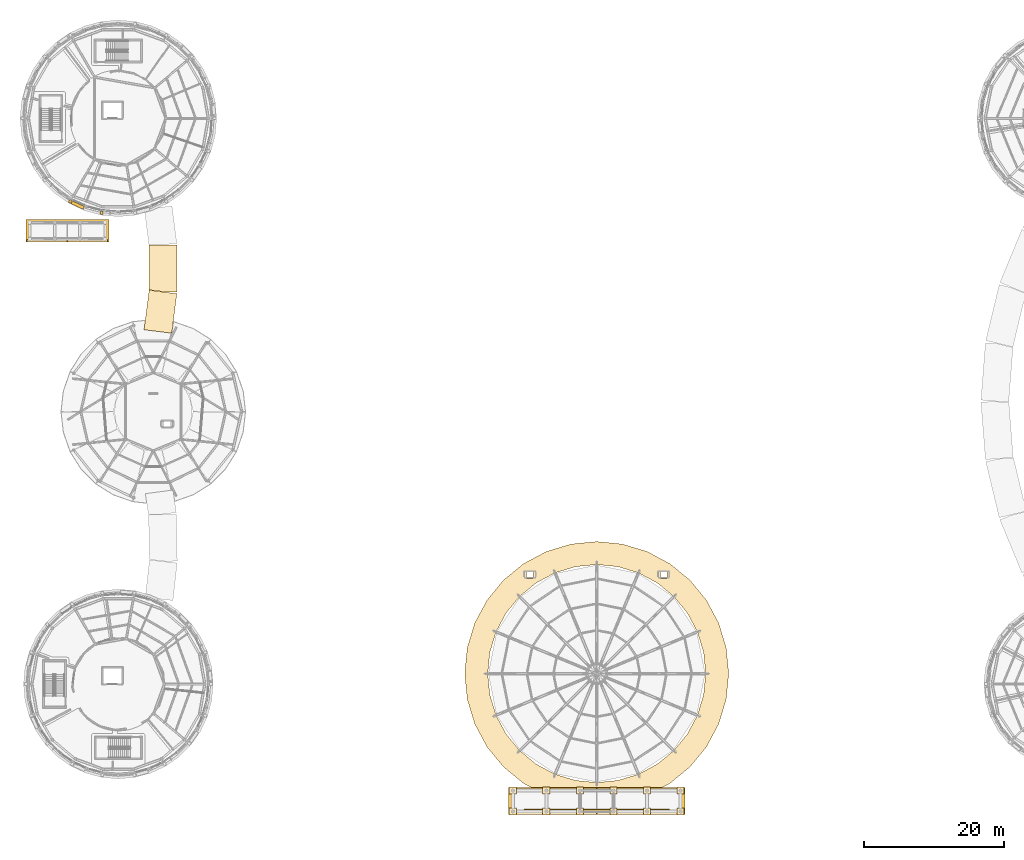
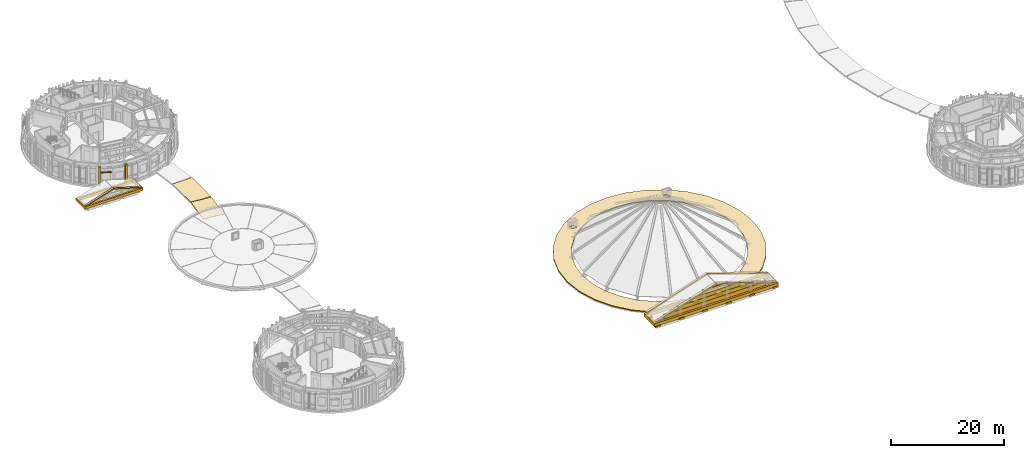
# One storey, part 52 of 58: 29 coverings, 1 shading device.
"""IFC4 building model written with IfcOpenShell, lengths in metres."""

from ifc_helpers import new_model, si_unit, direction, frame, origin, origin_2d, place, context, subcontext, project, spatial, polyline, rectangle, outline, extrude, material, layer, layer_set, type_object, element, save


model = new_model("IFC4")

# Units and contexts
model_context = context("Model", 3, precision=1e-05, world=origin(), true_north=direction((0.0, 1.0)))
body_context = subcontext(model_context, "Body", "Model", "MODEL_VIEW")
ifc_project = project(units=[si_unit("LENGTHUNIT", "METRE"), si_unit("AREAUNIT", "SQUARE_METRE"), si_unit("VOLUMEUNIT", "CUBIC_METRE"), si_unit("PLANEANGLEUNIT", "RADIAN"), si_unit("MASSUNIT", "GRAM", prefix="KILO")], contexts=[model_context])

# Site, building, storey
site_placement = place(None, origin())
site = spatial("IfcSite", under=ifc_project, at=site_placement, CompositionType="ELEMENT")
building_placement = place(site_placement, origin())
building = spatial("IfcBuilding", under=site, at=building_placement, Name="Aldenvaro Health Centre", CompositionType="ELEMENT")
storey_placement = place(building_placement, frame((0.0, 0.0, 8.75)))
storey = spatial("IfcBuildingStorey", under=building, at=storey_placement, Name="L02", CompositionType="ELEMENT", Elevation=8.75)

# Coverings
ifc_material_1 = material(Name="Honed Sonoran Buff Limestone", Category="masonry")
ifc_layer_1 = layer(ifc_material_1, 0.280029296875, Name="Honed Sonoran Buff Limestone", Category="masonry")
ifc_layer_set_1 = layer_set([ifc_layer_1], Name="Honed Sonoran Buff Limestone")
covering_type_1 = type_object("IfcCoveringType", Name="COV-CRN-STN", PredefinedType="CLADDING", material=ifc_layer_set_1)
for number, where, z_axis, x_axis, name in (
    (1, (16.114013671875, 85.968994140625, 0.00048828125), (0.0, 0.0, 1.0), (-0.173661868999, -0.984805338763, 0.0), "D4 L02 Engaged Classical Limestone Pilaster 06"),
    (2, (11.6298828125, 87.60107421875, 0.00048828125), (0.0, 0.0, 1.0), (-0.499991611653, -0.866030246745, 0.0), "D4 L02 Engaged Classical Limestone Pilaster 07"),
):
    element("IfcCovering", number, at=place(storey_placement, frame(where, z_axis=z_axis, x_axis=x_axis)), inside=storey, type_object=covering_type_1, Name=name, PredefinedType="CLADDING", context=body_context, shape_type="SweptSolid", body=[
        extrude(rectangle(XDim=0.43994140625, YDim=0.3798828125, at=origin_2d()), origin(), (0.0, 0.0, 1.0), 3.97509765625),
    ])
covering_1_placement = place(storey_placement, frame((0.0, 0.0, 0.195068359375)))
element("IfcCovering", 3, at=covering_1_placement, inside=storey, type_object=covering_type_1, Name="Waiting Rotunda Lower Cornice Classical Coping", PredefinedType="CLADDING", context=body_context, shape_type="SweptSolid", body=[
    extrude(outline(polyline([(76.5, 4.284912109375), (73.635986328125, 6.635986328125), (71.284912109375, 9.5), (69.5390625, 12.76708984375), (68.462890625, 16.31298828125), (68.10009765625, 20.0), (68.462890625, 23.68701171875), (69.5390625, 27.23291015625), (71.284912109375, 30.5), (73.635986328125, 33.364013671875), (76.5, 35.715087890625), (79.76708984375, 37.4609375), (83.31298828125, 38.537109375), (87.0, 38.89990234375), (90.68701171875, 38.537109375), (94.23291015625, 37.4609375), (97.5, 35.715087890625), (100.364013671875, 33.364013671875), (102.715087890625, 30.5), (104.4609375, 27.23291015625), (105.537109375, 23.68701171875), (105.89990234375, 20.0), (105.537109375, 16.31298828125), (104.4609375, 12.76708984375), (102.715087890625, 9.5), (100.364013671875, 6.635986328125), (97.5, 4.284912109375), (96.31201171875, 3.64990234375), (77.68798828125, 3.64990234375), (76.5, 4.284912109375)]), holes=[polyline([(102.300048828125, 23.04296875), (101.4130859375, 25.969970703125), (99.970947265625, 28.6669921875), (98.031005859375, 31.031005859375), (95.6669921875, 32.970947265625), (92.969970703125, 34.4130859375), (90.04296875, 35.300048828125), (87.0, 35.60009765625), (83.95703125, 35.300048828125), (81.030029296875, 34.4130859375), (78.3330078125, 32.970947265625), (75.968994140625, 31.031005859375), (74.029052734375, 28.6669921875), (72.5869140625, 25.969970703125), (71.699951171875, 23.04296875), (71.39990234375, 20.0), (71.699951171875, 16.95703125), (72.5869140625, 14.030029296875), (74.029052734375, 11.3330078125), (75.968994140625, 8.968994140625), (78.3330078125, 7.029052734375), (81.030029296875, 5.5869140625), (83.95703125, 4.699951171875), (87.0, 4.39990234375), (90.04296875, 4.699951171875), (92.969970703125, 5.5869140625), (95.6669921875, 7.029052734375), (98.031005859375, 8.968994140625), (99.970947265625, 11.3330078125), (101.4130859375, 14.030029296875), (102.300048828125, 16.95703125), (102.60009765625, 20.0), (102.300048828125, 23.04296875)]), polyline([(77.8701171875, 33.6298828125), (77.8701171875, 34.530029296875), (76.969970703125, 34.530029296875), (76.969970703125, 33.6298828125), (77.8701171875, 33.6298828125)]), polyline([(97.030029296875, 33.6298828125), (97.030029296875, 34.530029296875), (96.1298828125, 34.530029296875), (96.1298828125, 33.6298828125), (97.030029296875, 33.6298828125)])]), origin(), (0.0, 0.0, 1.0), 0.219970703125),
])
covering_2_placement = place(storey_placement, frame((74.550048828125, -0.179931640625, 1.610107421875), z_axis=(-0.312539096871, 0.0, 0.94990489678), x_axis=(0.94990489678, 0.0, 0.312539096871)))
element("IfcCovering", 4, at=covering_2_placement, inside=storey, type_object=covering_type_1, Name="Neoclassical Portico West Pediment Slope Classical Raking Cornice S", PredefinedType="CLADDING", context=body_context, shape_type="SweptSolid", body=[
    extrude(outline(polyline([(0.0, 0.0), (13.053835584784954, 0.0), (13.053835584784954, 0.52001953125), (0.0, 0.52001953125), (0.0, 0.0)])), origin(), (0.0, 0.0, -1.0), 0.280029296875),
])
covering_3_placement = place(storey_placement, frame((74.550048828125, 3.1201171875, 1.610107421875), z_axis=(-0.312539096871, 0.0, 0.94990489678), x_axis=(0.94990489678, 0.0, 0.312539096871)))
element("IfcCovering", 5, at=covering_3_placement, inside=storey, type_object=covering_type_1, Name="Neoclassical Portico West Pediment Slope Classical Raking Cornice N", PredefinedType="CLADDING", context=body_context, shape_type="SweptSolid", body=[
    extrude(outline(polyline([(0.0, 0.0), (13.053835584784954, 0.0), (13.053835584784954, 0.49999999999999994), (0.0, 0.49999999999999994), (0.0, 0.0)])), origin(), (0.0, 0.0, -1.0), 0.280029296875),
])
covering_4_placement = place(storey_placement, frame((87.050048828125, -0.179931640625, 5.68994140625), z_axis=(0.312539096871, 0.0, 0.94990489678), x_axis=(0.94990489678, 0.0, -0.312539096871)))
element("IfcCovering", 6, at=covering_4_placement, inside=storey, type_object=covering_type_1, Name="Neoclassical Portico East Pediment Slope Classical Raking Cornice S", PredefinedType="CLADDING", context=body_context, shape_type="SweptSolid", body=[
    extrude(outline(polyline([(0.0, 0.0), (13.053835584784954, 0.0), (13.053835584784954, 0.52001953125), (0.0, 0.52001953125), (0.0, 0.0)])), origin(), (0.0, 0.0, -1.0), 0.280029296875),
])
covering_5_placement = place(storey_placement, frame((87.050048828125, 3.1201171875, 5.68994140625), z_axis=(0.312539096871, 0.0, 0.94990489678), x_axis=(0.94990489678, 0.0, -0.312539096871)))
element("IfcCovering", 7, at=covering_5_placement, inside=storey, type_object=covering_type_1, Name="Neoclassical Portico East Pediment Slope Classical Raking Cornice N", PredefinedType="CLADDING", context=body_context, shape_type="SweptSolid", body=[
    extrude(outline(polyline([(0.0, 0.0), (13.053835584784954, 0.0), (13.053835584784954, 0.49999999999999994), (0.0, 0.49999999999999994), (0.0, 0.0)])), origin(), (0.0, 0.0, -1.0), 0.280029296875),
])
for number, where, z_axis, x_axis, name in (
    (8, (75.0, 0.25, 0.4501953125), (0.0, 0.0, 1.0), (1.0, 0.0, 0.0), "Hexastyle Portico Classical Column Capital 1"),
    (9, (75.0, 3.25, 0.4501953125), (0.0, 0.0, 1.0), (1.0, 0.0, 0.0), "Hexastyle Portico Classical Column Capital 2"),
    (10, (79.800048828125, 0.25, 0.4501953125), (0.0, 0.0, 1.0), (1.0, 0.0, 0.0), "Hexastyle Portico Classical Column Capital 3"),
    (11, (79.800048828125, 3.25, 0.4501953125), (0.0, 0.0, 1.0), (1.0, 0.0, 0.0), "Hexastyle Portico Classical Column Capital 4"),
    (12, (84.60009765625, 0.25, 0.4501953125), (0.0, 0.0, 1.0), (1.0, 0.0, 0.0), "Hexastyle Portico Classical Column Capital 5"),
    (13, (84.60009765625, 3.25, 0.4501953125), (0.0, 0.0, 1.0), (1.0, 0.0, 0.0), "Hexastyle Portico Classical Column Capital 6"),
    (14, (89.39990234375, 0.25, 0.4501953125), (0.0, 0.0, 1.0), (1.0, 0.0, 0.0), "Hexastyle Portico Classical Column Capital 7"),
    (15, (89.39990234375, 3.25, 0.4501953125), (0.0, 0.0, 1.0), (1.0, 0.0, 0.0), "Hexastyle Portico Classical Column Capital 8"),
    (16, (94.199951171875, 0.25, 0.4501953125), (0.0, 0.0, 1.0), (1.0, 0.0, 0.0), "Hexastyle Portico Classical Column Capital 9"),
    (17, (94.199951171875, 3.25, 0.4501953125), (0.0, 0.0, 1.0), (1.0, 0.0, 0.0), "Hexastyle Portico Classical Column Capital 10"),
    (18, (99.0, 0.25, 0.4501953125), (0.0, 0.0, 1.0), (1.0, 0.0, 0.0), "Hexastyle Portico Classical Column Capital 11"),
    (19, (99.0, 3.25, 0.4501953125), (0.0, 0.0, 1.0), (1.0, 0.0, 0.0), "Hexastyle Portico Classical Column Capital 12"),
):
    element("IfcCovering", number, at=place(storey_placement, frame(where, z_axis=z_axis, x_axis=x_axis)), inside=storey, type_object=covering_type_1, Name=name, PredefinedType="CLADDING", context=body_context, shape_type="SweptSolid", body=[
        extrude(rectangle(XDim=1.06005859375, YDim=1.06005859375, at=origin_2d()), origin(), (0.0, 0.0, 1.0), 0.300048828125),
    ])
covering_6_placement = place(storey_placement, frame((0.0, 0.0, 0.60009765625)))
element("IfcCovering", 20, at=covering_6_placement, inside=storey, type_object=covering_type_1, Name="Hexastyle Portico Classical Entablature Frieze and Dentil Cornice", PredefinedType="CLADDING", context=body_context, shape_type="SweptSolid", body=[
    extrude(outline(polyline([(74.35009765625, -0.159912109375), (74.35009765625, 3.64990234375), (99.64990234375, 3.64990234375), (99.64990234375, -0.159912109375), (74.35009765625, -0.159912109375)]), holes=[polyline([(99.10009765625, 3.199951171875), (74.89990234375, 3.199951171875), (74.89990234375, 0.25), (99.10009765625, 0.25), (99.10009765625, 3.199951171875)])]), origin(), (0.0, 0.0, 1.0), 0.699951171875),
])
covering_7_placement = place(storey_placement, frame((87.0, 0.419921875, 1.300048828125), z_axis=(0.0, 0.0, 1.0), x_axis=(1.0, 0.0, 0.0)))
element("IfcCovering", 21, at=covering_7_placement, inside=storey, type_object=covering_type_1, Name="Hexastyle Portico Recessed Limestone Tympanum Course 1", PredefinedType="CLADDING", context=body_context, shape_type="SweptSolid", body=[
    extrude(rectangle(XDim=20.800048828125, YDim=0.260009765625, at=origin_2d()), origin(), (0.0, 0.0, 1.0), 0.85009765625),
])
covering_8_placement = place(storey_placement, frame((87.0, 0.419921875, 2.14990234375), z_axis=(0.0, 0.0, 1.0), x_axis=(1.0, 0.0, 0.0)))
element("IfcCovering", 22, at=covering_8_placement, inside=storey, type_object=covering_type_1, Name="Hexastyle Portico Recessed Limestone Tympanum Course 2", PredefinedType="CLADDING", context=body_context, shape_type="SweptSolid", body=[
    extrude(rectangle(XDim=15.60009765625, YDim=0.260009765625, at=origin_2d()), origin(), (0.0, 0.0, 1.0), 0.85009765625),
])
covering_9_placement = place(storey_placement, frame((87.0, 0.419921875, 3.0), z_axis=(0.0, 0.0, 1.0), x_axis=(1.0, 0.0, 0.0)))
element("IfcCovering", 23, at=covering_9_placement, inside=storey, type_object=covering_type_1, Name="Hexastyle Portico Recessed Limestone Tympanum Course 3", PredefinedType="CLADDING", context=body_context, shape_type="SweptSolid", body=[
    extrude(rectangle(XDim=10.39990234375, YDim=0.260009765625, at=origin_2d()), origin(), (0.0, 0.0, 1.0), 0.85009765625),
])
covering_10_placement = place(storey_placement, frame((87.0, 0.419921875, 3.849853515625), z_axis=(0.0, 0.0, 1.0), x_axis=(1.0, 0.0, 0.0)))
element("IfcCovering", 24, at=covering_10_placement, inside=storey, type_object=covering_type_1, Name="Hexastyle Portico Recessed Limestone Tympanum Course 4", PredefinedType="CLADDING", context=body_context, shape_type="SweptSolid", body=[
    extrude(rectangle(XDim=5.199951171875, YDim=0.260009765625, at=origin_2d()), origin(), (0.0, 0.0, 1.0), 0.85009765625),
])
covering_11_placement = place(storey_placement, frame((0.0, 0.0, 0.449951171875)))
element("IfcCovering", 25, at=covering_11_placement, inside=storey, type_object=covering_type_1, Name="Bastion Portico N4 Classical Entablature Cornice", PredefinedType="CLADDING", context=body_context, shape_type="SweptSolid", body=[
    extrude(outline(polyline([(5.260009765625, 81.7900390625), (5.260009765625, 85.030029296875), (17.139892578125, 85.030029296875), (17.139892578125, 81.7900390625), (5.260009765625, 81.7900390625)]), holes=[polyline([(16.679931640625, 84.64990234375), (5.719970703125, 84.64990234375), (5.719970703125, 82.14990234375), (16.679931640625, 82.14990234375), (16.679931640625, 84.64990234375)])]), origin(), (0.0, 0.0, 1.0), 0.550048828125),
])
for number, where, z_axis, x_axis, name in (
    (26, (5.419921875, 81.77001953125, 1.18994140625), (-0.297240682512, 0.0, 0.954802585177), (0.954802585177, 0.0, 0.297240682512), "Bastion Portico N4 Raking Cornice W"),
    (27, (11.22998046875, 81.77001953125, 2.97998046875), (0.297240682512, 0.0, 0.954802585177), (0.954802585177, 0.0, -0.297240682512), "Bastion Portico N4 Raking Cornice E"),
):
    element("IfcCovering", number, at=place(storey_placement, frame(where, z_axis=z_axis, x_axis=x_axis)), inside=storey, type_object=covering_type_1, Name=name, PredefinedType="CLADDING", context=body_context, shape_type="SweptSolid", body=[
        extrude(outline(polyline([(0.0, 0.0), (6.022187297425734, 0.0), (6.022187297425734, 0.39990234375), (0.0, 0.39990234375), (0.0, 0.0)])), origin(), (0.0, 0.0, -1.0), 0.219970703125),
    ])
ifc_material_2 = material(Name="TPO Reflective Cool Roof Membrane")
ifc_layer_2 = layer(ifc_material_2, 0.030029296875, Name="TPO Reflective Cool Roof Membrane")
ifc_layer_set_2 = layer_set([ifc_layer_2], Name="TPO Reflective Cool Roof Membrane")
covering_type_2 = type_object("IfcCoveringType", Name="COV-RF-MEM", PredefinedType="ROOFING", material=ifc_layer_set_2)
covering_12_placement = place(storey_placement, frame((0.0, 0.0, 0.06005859375)))
element("IfcCovering", 28, at=covering_12_placement, inside=storey, type_object=covering_type_2, Name="West North Curved Garden Walkway Arc 1 flat roof Cool Limestone Ballast Membrane", PredefinedType="ROOFING", context=body_context, shape_type="SweptSolid", body=[
    extrude(outline(polyline([(22.178955078125, 69.23095703125), (22.908935546875, 74.89892578125), (26.876953125, 74.386962890625), (26.14794921875, 68.73291015625), (22.178955078125, 69.23095703125)])), origin(), (0.0, 0.0, 1.0), 0.030029296875),
])
covering_13_placement = place(storey_placement, frame((0.0, 0.0, 0.06005859375)))
element("IfcCovering", 29, at=covering_13_placement, inside=storey, type_object=covering_type_2, Name="West North Curved Garden Walkway Arc 2 flat roof Cool Limestone Ballast Membrane", PredefinedType="ROOFING", context=body_context, shape_type="SweptSolid", body=[
    extrude(outline(polyline([(22.89306640625, 81.35693359375), (26.89306640625, 81.35693359375), (26.89306640625, 74.64306640625), (25.2060546875, 74.64306640625), (22.89306640625, 74.94091796875), (22.89306640625, 81.35693359375)])), origin(), (0.0, 0.0, 1.0), 0.030029296875),
])

# Shading device
ifc_material_3 = material(Name="Douglas Fir Exterior Glulam GL28h", Category="wood")
shading_device_type = type_object("IfcShadingDeviceType", Name="SHD-LVR-190", PredefinedType="JALOUSIE", material=ifc_material_3)
shading_device_placement = place(storey_placement, frame((12.701904296875, 87.06591796875, 2.74755859375), z_axis=(0.0, 0.0, 1.0), x_axis=(-0.90633620484, 0.422557314215, 0.0)))
element("IfcShadingDevice", 30, at=shading_device_placement, inside=storey, type_object=shading_device_type, Name="D4 L02 horizontal solar louvre 12", PredefinedType="JALOUSIE", context=body_context, shape_type="SweptSolid", body=[
    extrude(rectangle(XDim=1.89990234375, YDim=0.449951171875, at=origin_2d()), origin(), (0.0, 0.0, 1.0), 0.06494140625),
])

save(model, "model.ifc")
